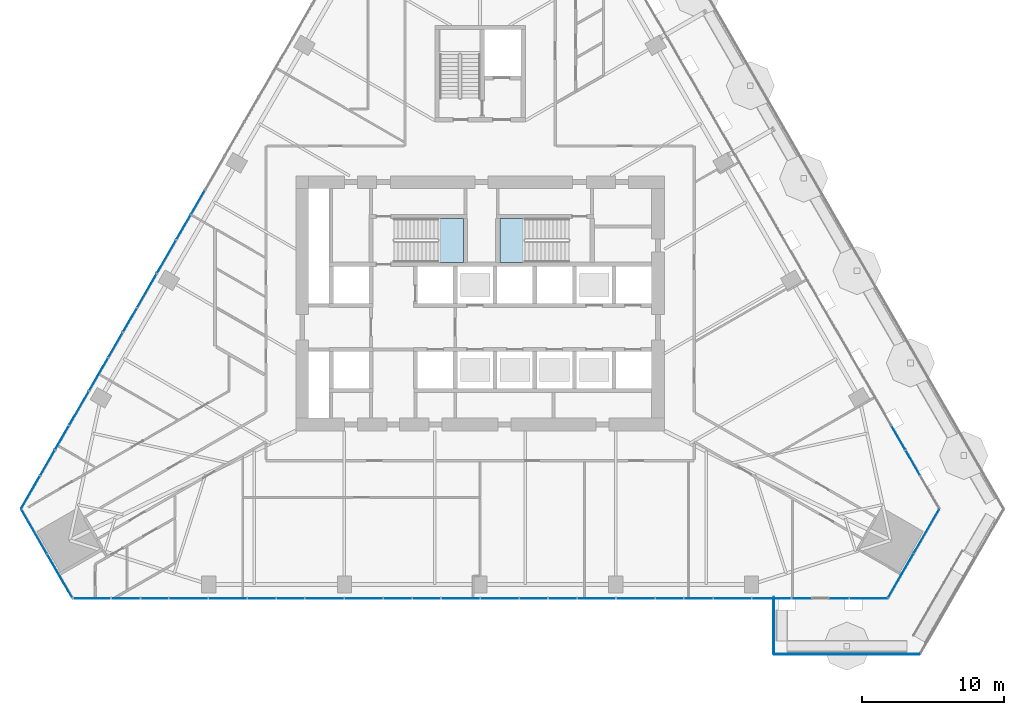
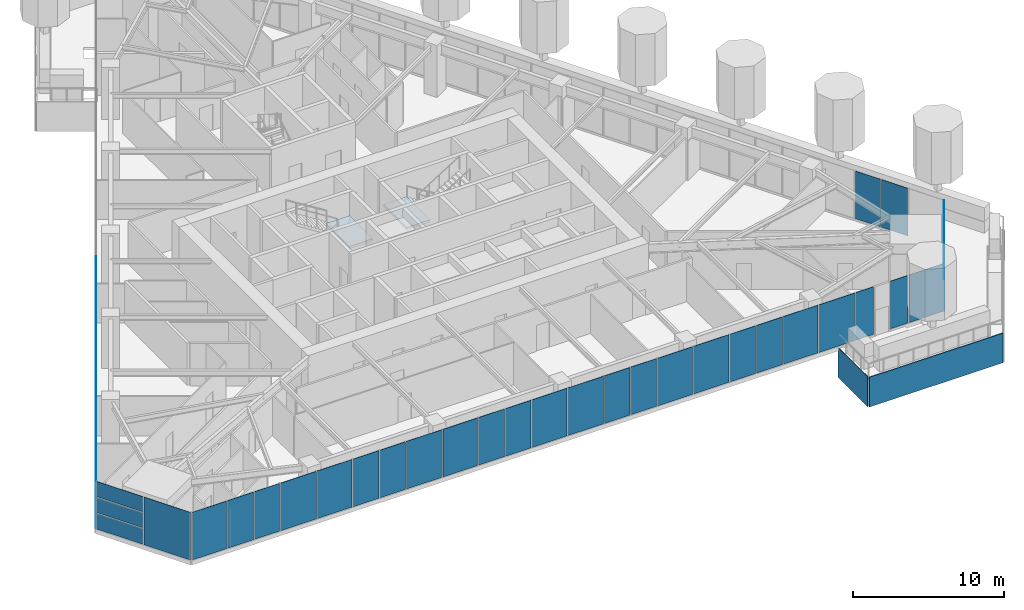
# One storey, part 14 of 26: 47 plates, 2 slabs, 7 elements without a shape of their own.
"""IFC4 building model written with IfcOpenShell, lengths in metres."""

from ifc_helpers import new_model, si_unit, direction, frame, origin, place, context, subcontext, project, spatial, polyline, outline, extrude, material, layer, layer_set, type_object, element, aggregate, save


model = new_model("IFC4")

# Units and contexts
model_context = context("Model", 3, precision=1e-05, world=origin(), true_north=direction((0.0, 1.0)))
body_context = subcontext(model_context, "Body", "Model", "MODEL_VIEW")
ifc_project = project(units=[si_unit("LENGTHUNIT", "METRE"), si_unit("AREAUNIT", "SQUARE_METRE"), si_unit("VOLUMEUNIT", "CUBIC_METRE"), si_unit("PLANEANGLEUNIT", "RADIAN"), si_unit("MASSUNIT", "GRAM", prefix="KILO")], contexts=[model_context])

# Site, building, storey
site_placement = place(None, origin())
site = spatial("IfcSite", under=ifc_project, at=site_placement, CompositionType="ELEMENT")
building_placement = place(site_placement, origin())
building = spatial("IfcBuilding", under=site, at=building_placement, Name="Firuza Gate Tower and Library", CompositionType="ELEMENT")
storey_placement = place(building_placement, frame((0.0, 0.0, 52.60009765625)))
storey = spatial("IfcBuildingStorey", under=building, at=storey_placement, Name="L11", CompositionType="ELEMENT", Elevation=52.60009765625)

# Curtain wall, plates
ifc_material_1 = material(Name="Aluminium 6063-T6", Category="aluminium")
ifc_layer_1 = layer(ifc_material_1, 0.14990234375)
ifc_layer_set_1 = layer_set([ifc_layer_1], Name="Corner curtain wall, chamfers")
curtain_wall_type_1 = type_object("IfcCurtainWallType", Name="Corner curtain wall, chamfers", PredefinedType="NOTDEFINED", material=ifc_layer_set_1)
placement_1 = place(storey_placement, origin())
curtain_wall_1 = element("IfcCurtainWall", 1, at=placement_1, inside=storey, type_object=curtain_wall_type_1, Name="CW4 L11 SE corner", PredefinedType="NOTDEFINED")
ifc_material_2 = material(Name="Fritted glass", Category="glass")
ifc_layer_2 = layer(ifc_material_2, 0.030029296875)
ifc_layer_set_2 = layer_set([ifc_layer_2], Name="Fritted glass unit, corners")
plate_type_1 = type_object("IfcPlateType", Name="Fritted glass unit, corners", PredefinedType="CURTAIN_PANEL", material=ifc_layer_set_2)
plate_1_placement = place(storey_placement, frame((103.778076171875, 54.224365234375, 0.14990234375), z_axis=(0.866046390552, -0.49996364809, 0.0), x_axis=(0.49996364809, 0.866046390552, 0.0)))
plate_1 = element("IfcPlate", 2, at=plate_1_placement, type_object=plate_type_1, Name="Glass unit", PredefinedType="CURTAIN_PANEL", context=body_context, shape_type="SweptSolid", body=[
    extrude(outline(polyline([(0.0, 0.0), (3.563247342942594, 0.0), (3.563247342942594, 1.885009765625), (0.0, 1.885009765625), (0.0, 0.0)])), origin(), (0.0, 0.0, -1.0), 0.030029296875),
])
plate_2_placement = place(storey_placement, frame((105.599609375, 57.37939453125, 0.14990234375), z_axis=(0.866016723041, -0.500015035186, 0.0), x_axis=(0.500015035186, 0.866016723041, 0.0)))
plate_2 = element("IfcPlate", 3, at=plate_2_placement, type_object=plate_type_1, Name="Glass unit", PredefinedType="CURTAIN_PANEL", context=body_context, shape_type="SweptSolid", body=[
    extrude(outline(polyline([(0.0, 0.0), (3.5633694106530625, 0.0), (3.5633694106530625, 1.885009765625), (0.0, 1.885009765625), (0.0, 0.0)])), origin(), (0.0, 0.0, -1.0), 0.030029296875),
])

curtain_wall_2 = element("IfcCurtainWall", 4, at=placement_1, inside=storey, type_object=curtain_wall_type_1, Name="CW4 L11 SW corner", PredefinedType="NOTDEFINED")
plate_3_placement = place(storey_placement, frame((42.61865234375, 60.46533203125, 0.14990234375), z_axis=(-0.866016723041, -0.500015035186, 0.0), x_axis=(0.500015035186, -0.866016723041, 0.0)))
plate_3 = element("IfcPlate", 5, at=plate_3_placement, type_object=plate_type_1, Name="Glass unit", PredefinedType="CURTAIN_PANEL", context=body_context, shape_type="SweptSolid", body=[
    extrude(outline(polyline([(0.0, 0.0), (3.5633694106530625, 0.0), (3.5633694106530625, 1.260009765625), (0.0, 1.260009765625), (0.0, 0.0)])), origin(), (0.0, 0.0, -1.0), 0.030029296875),
])
plate_4_placement = place(storey_placement, frame((42.61865234375, 60.46533203125, 1.489990234375), z_axis=(-0.866016723041, -0.500015035186, 0.0), x_axis=(0.500015035186, -0.866016723041, 0.0)))
plate_4 = element("IfcPlate", 6, at=plate_4_placement, type_object=plate_type_1, Name="Glass unit", PredefinedType="CURTAIN_PANEL", context=body_context, shape_type="SweptSolid", body=[
    extrude(outline(polyline([(0.0, 0.0), (3.5633694106530625, 0.0), (3.5633694106530625, 1.1948242187499998), (0.0, 1.1948242187499998), (0.0, 0.0)])), origin(), (0.0, 0.0, -1.0), 0.030029296875),
])

ifc_material_3 = material(Name="Aluminium 6063-T6", Category="aluminium")
ifc_layer_3 = layer(ifc_material_3, 0.14990234375)
ifc_layer_set_3 = layer_set([ifc_layer_3], Name="Unitised curtain wall, offices")
curtain_wall_type_2 = type_object("IfcCurtainWallType", Name="Unitised curtain wall, offices", PredefinedType="NOTDEFINED", material=ifc_layer_set_3)
curtain_wall_3 = element("IfcCurtainWall", 7, at=placement_1, inside=storey, type_object=curtain_wall_type_2, Name="CW1 L11 S face", PredefinedType="NOTDEFINED")
ifc_material_4 = material(Name="Fritted glass", Category="glass")
ifc_layer_4 = layer(ifc_material_4, 0.030029296875)
ifc_layer_set_4 = layer_set([ifc_layer_4], Name="Fritted glass unit, offices")
plate_type_2 = type_object("IfcPlateType", Name="Fritted glass unit, offices", PredefinedType="CURTAIN_PANEL", material=ifc_layer_set_4)
plate_5_placement = place(storey_placement, frame((49.00244140625, 54.18212890625, 0.14990234375), z_axis=(0.0, -1.0, 0.0), x_axis=(1.0, 0.0, 0.0)))
plate_5 = element("IfcPlate", 8, at=plate_5_placement, type_object=plate_type_2, Name="Glass unit", PredefinedType="CURTAIN_PANEL", context=body_context, shape_type="SweptSolid", body=[
    extrude(outline(polyline([(0.0, 0.0), (2.00341796875, 0.0), (2.00341796875, 3.85009765625), (0.0, 3.85009765625), (0.0, 0.0)])), origin(), (0.0, 0.0, -1.0), 0.030029296875),
])
plate_6_placement = place(storey_placement, frame((51.0859375, 54.18212890625, 0.14990234375), z_axis=(0.0, -1.0, 0.0), x_axis=(1.0, 0.0, 0.0)))
plate_6 = element("IfcPlate", 9, at=plate_6_placement, type_object=plate_type_2, Name="Glass unit", PredefinedType="CURTAIN_PANEL", context=body_context, shape_type="SweptSolid", body=[
    extrude(outline(polyline([(0.0, 0.0), (1.91162109375, 0.0), (1.91162109375, 3.85009765625), (0.0, 3.85009765625), (0.0, 0.0)])), origin(), (0.0, 0.0, -1.0), 0.030029296875),
])
plate_7_placement = place(storey_placement, frame((58.602294921875, 54.18212890625, 0.14990234375), z_axis=(0.0, -1.0, 0.0), x_axis=(1.0, 0.0, 0.0)))
plate_7 = element("IfcPlate", 10, at=plate_7_placement, type_object=plate_type_2, Name="Glass unit", PredefinedType="CURTAIN_PANEL", context=body_context, shape_type="SweptSolid", body=[
    extrude(outline(polyline([(0.0, 0.0), (1.985107421875, 0.0), (1.985107421875, 3.85009765625), (0.0, 3.85009765625), (0.0, 0.0)])), origin(), (0.0, 0.0, -1.0), 0.030029296875),
])
plate_8_placement = place(storey_placement, frame((60.66748046875, 54.18212890625, 0.14990234375), z_axis=(0.0, -1.0, 0.0), x_axis=(1.0, 0.0, 0.0)))
plate_8 = element("IfcPlate", 11, at=plate_8_placement, type_object=plate_type_2, Name="Glass unit", PredefinedType="CURTAIN_PANEL", context=body_context, shape_type="SweptSolid", body=[
    extrude(outline(polyline([(0.0, 0.0), (1.93017578125, 0.0), (1.93017578125, 3.85009765625), (0.0, 3.85009765625), (0.0, 0.0)])), origin(), (0.0, 0.0, -1.0), 0.030029296875),
])
plate_9_placement = place(storey_placement, frame((68.202392578125, 54.18212890625, 0.14990234375), z_axis=(0.0, -1.0, 0.0), x_axis=(1.0, 0.0, 0.0)))
plate_9 = element("IfcPlate", 12, at=plate_9_placement, type_object=plate_type_2, Name="Glass unit", PredefinedType="CURTAIN_PANEL", context=body_context, shape_type="SweptSolid", body=[
    extrude(outline(polyline([(0.0, 0.0), (1.966796875, 0.0), (1.966796875, 3.85009765625), (0.0, 3.85009765625), (0.0, 0.0)])), origin(), (0.0, 0.0, -1.0), 0.030029296875),
])
plate_10_placement = place(storey_placement, frame((70.249267578125, 54.18212890625, 0.14990234375), z_axis=(0.0, -1.0, 0.0), x_axis=(1.0, 0.0, 0.0)))
plate_10 = element("IfcPlate", 13, at=plate_10_placement, type_object=plate_type_2, Name="Glass unit", PredefinedType="CURTAIN_PANEL", context=body_context, shape_type="SweptSolid", body=[
    extrude(outline(polyline([(0.0, 0.0), (1.9482421875, 0.0), (1.9482421875, 3.85009765625), (0.0, 3.85009765625), (0.0, 0.0)])), origin(), (0.0, 0.0, -1.0), 0.030029296875),
])
plate_11_placement = place(storey_placement, frame((77.802490234375, 54.18212890625, 0.14990234375), z_axis=(0.0, -1.0, 0.0), x_axis=(1.0, 0.0, 0.0)))
plate_11 = element("IfcPlate", 14, at=plate_11_placement, type_object=plate_type_2, Name="Glass unit", PredefinedType="CURTAIN_PANEL", context=body_context, shape_type="SweptSolid", body=[
    extrude(outline(polyline([(0.0, 0.0), (1.9482421875, 0.0), (1.9482421875, 3.85009765625), (0.0, 3.85009765625), (0.0, 0.0)])), origin(), (0.0, 0.0, -1.0), 0.030029296875),
])
plate_12_placement = place(storey_placement, frame((79.830810546875, 54.18212890625, 0.14990234375), z_axis=(0.0, -1.0, 0.0), x_axis=(1.0, 0.0, 0.0)))
plate_12 = element("IfcPlate", 15, at=plate_12_placement, type_object=plate_type_2, Name="Glass unit", PredefinedType="CURTAIN_PANEL", context=body_context, shape_type="SweptSolid", body=[
    extrude(outline(polyline([(0.0, 0.0), (1.966796875, 0.0), (1.966796875, 3.85009765625), (0.0, 3.85009765625), (0.0, 0.0)])), origin(), (0.0, 0.0, -1.0), 0.030029296875),
])
plate_13_placement = place(storey_placement, frame((87.40234375, 54.18212890625, 0.14990234375), z_axis=(0.0, -1.0, 0.0), x_axis=(1.0, 0.0, 0.0)))
plate_13 = element("IfcPlate", 16, at=plate_13_placement, type_object=plate_type_2, Name="Glass unit", PredefinedType="CURTAIN_PANEL", context=body_context, shape_type="SweptSolid", body=[
    extrude(outline(polyline([(0.0, 0.0), (1.93017578125, 0.0), (1.93017578125, 3.85009765625), (0.0, 3.85009765625), (0.0, 0.0)])), origin(), (0.0, 0.0, -1.0), 0.030029296875),
])
plate_14_placement = place(storey_placement, frame((89.41259765625, 54.18212890625, 0.14990234375), z_axis=(0.0, -1.0, 0.0), x_axis=(1.0, 0.0, 0.0)))
plate_14 = element("IfcPlate", 17, at=plate_14_placement, type_object=plate_type_2, Name="Glass unit", PredefinedType="CURTAIN_PANEL", context=body_context, shape_type="SweptSolid", body=[
    extrude(outline(polyline([(0.0, 0.0), (1.985107421875, 0.0), (1.985107421875, 3.85009765625), (0.0, 3.85009765625), (0.0, 0.0)])), origin(), (0.0, 0.0, -1.0), 0.030029296875),
])
plate_15_placement = place(storey_placement, frame((97.00244140625, 54.18212890625, 0.14990234375), z_axis=(0.0, -1.0, 0.0), x_axis=(1.0, 0.0, 0.0)))
plate_15 = element("IfcPlate", 18, at=plate_15_placement, type_object=plate_type_2, Name="Glass unit", PredefinedType="CURTAIN_PANEL", context=body_context, shape_type="SweptSolid", body=[
    extrude(outline(polyline([(0.0, 0.0), (1.3408203125, 0.0), (1.3408203125, 3.85009765625), (0.0, 3.85009765625), (0.0, 0.0)])), origin(), (0.0, 0.0, -1.0), 0.030029296875),
])
plate_16_placement = place(storey_placement, frame((99.623291015625, 54.18212890625, 0.14990234375), z_axis=(0.0, -1.0, 0.0), x_axis=(1.0, 0.0, 0.0)))
plate_16 = element("IfcPlate", 19, at=plate_16_placement, type_object=plate_type_2, Name="Glass unit", PredefinedType="CURTAIN_PANEL", context=body_context, shape_type="SweptSolid", body=[
    extrude(outline(polyline([(0.0, 0.0), (1.374267578125, 0.0), (1.374267578125, 3.85009765625), (0.0, 3.85009765625), (0.0, 0.0)])), origin(), (0.0, 0.0, -1.0), 0.030029296875),
])

curtain_wall_4 = element("IfcCurtainWall", 20, at=placement_1, inside=storey, type_object=curtain_wall_type_2, Name="CW1 L11 E face", PredefinedType="NOTDEFINED")
plate_17_placement = place(storey_placement, frame((106.027587890625, 62.894287109375, 0.14990234375), z_axis=(0.866037453254, 0.499979129126, 0.0), x_axis=(-0.499979129126, 0.866037453254, 0.0)))
plate_17 = element("IfcPlate", 21, at=plate_17_placement, type_object=plate_type_2, Name="Glass unit", PredefinedType="CURTAIN_PANEL", context=body_context, shape_type="SweptSolid", body=[
    extrude(outline(polyline([(0.0, 0.0), (2.0035015984079734, 0.0), (2.0035015984079734, 3.85009765625), (0.0, 3.85009765625), (0.0, 0.0)])), origin(), (0.0, 0.0, -1.0), 0.030029296875),
])
plate_18_placement = place(storey_placement, frame((104.98583984375, 64.69873046875, 0.14990234375), z_axis=(0.866026077102, 0.499998833779, 0.0), x_axis=(-0.499998833779, 0.866026077102, 0.0)))
plate_18 = element("IfcPlate", 22, at=plate_18_placement, type_object=plate_type_2, Name="Glass unit", PredefinedType="CURTAIN_PANEL", context=body_context, shape_type="SweptSolid", body=[
    extrude(outline(polyline([(0.0, 0.0), (1.9116255525071724, 0.0), (1.9116255525071724, 3.85009765625), (0.0, 3.85009765625), (0.0, 0.0)])), origin(), (0.0, 0.0, -1.0), 0.030029296875),
])
aggregate(curtain_wall_4, [plate_17, plate_18])

curtain_wall_5 = element("IfcCurtainWall", 23, at=placement_1, inside=storey, type_object=curtain_wall_type_2, Name="CW1 L11 W face", PredefinedType="NOTDEFINED")
plate_19_placement = place(storey_placement, frame((55.570068359375, 82.98193359375, 0.14990234375), z_axis=(-0.865974815039, 0.500087612042, 0.0), x_axis=(-0.500087612042, -0.865974815039, 0.0)))
plate_19 = element("IfcPlate", 24, at=plate_19_placement, type_object=plate_type_2, Name="Glass unit", PredefinedType="CURTAIN_PANEL", context=body_context, shape_type="SweptSolid", body=[
    extrude(outline(polyline([(0.0, 0.0), (1.948389064061364, 0.0), (1.948389064061364, 3.85009765625), (0.0, 3.85009765625), (0.0, 0.0)])), origin(), (0.0, 0.0, -1.0), 0.030029296875),
])
plate_20_placement = place(storey_placement, frame((54.555908203125, 81.225341796875, 0.14990234375), z_axis=(-0.866034692906, 0.499983910424, 0.0), x_axis=(-0.499983910424, -0.866034692906, 0.0)))
plate_20 = element("IfcPlate", 25, at=plate_20_placement, type_object=plate_type_2, Name="Glass unit", PredefinedType="CURTAIN_PANEL", context=body_context, shape_type="SweptSolid", body=[
    extrude(outline(polyline([(0.0, 0.0), (1.9668601668931607, 0.0), (1.9668601668931607, 3.85009765625), (0.0, 3.85009765625), (0.0, 0.0)])), origin(), (0.0, 0.0, -1.0), 0.030029296875),
])
plate_21_placement = place(storey_placement, frame((50.77001953125, 74.668212890625, 0.14990234375), z_axis=(-0.866031827731, 0.499988873232, 0.0), x_axis=(-0.499988873232, -0.866031827731, 0.0)))
plate_21 = element("IfcPlate", 26, at=plate_21_placement, type_object=plate_type_2, Name="Glass unit", PredefinedType="CURTAIN_PANEL", context=body_context, shape_type="SweptSolid", body=[
    extrude(outline(polyline([(0.0, 0.0), (1.9302187354405753, 0.0), (1.9302187354405753, 3.850097656250001), (0.0, 3.850097656250001), (0.0, 0.0)])), origin(), (0.0, 0.0, -1.0), 0.030029296875),
])
plate_22_placement = place(storey_placement, frame((49.764892578125, 72.92724609375, 0.14990234375), z_axis=(-0.866031967744, 0.499988630717, 0.0), x_axis=(-0.499988630717, -0.866031967744, 0.0)))
plate_22 = element("IfcPlate", 27, at=plate_22_placement, type_object=plate_type_2, Name="Glass unit", PredefinedType="CURTAIN_PANEL", context=body_context, shape_type="SweptSolid", body=[
    extrude(outline(polyline([(0.0, 0.0), (1.9849084152213954, 0.0), (1.9849084152213954, 3.850097656250001), (0.0, 3.850097656250001), (0.0, 0.0)])), origin(), (0.0, 0.0, -1.0), 0.030029296875),
])
plate_23_placement = place(storey_placement, frame((45.969970703125, 66.354248046875, 0.14990234375), z_axis=(-0.866026077102, 0.499998833779, 0.0), x_axis=(-0.499998833779, -0.866026077102, 0.0)))
plate_23 = element("IfcPlate", 28, at=plate_23_placement, type_object=plate_type_2, Name="Glass unit", PredefinedType="CURTAIN_PANEL", context=body_context, shape_type="SweptSolid", body=[
    extrude(outline(polyline([(0.0, 0.0), (1.9116255525071724, 0.0), (1.9116255525071724, 3.85009765625), (0.0, 3.85009765625), (0.0, 0.0)])), origin(), (0.0, 0.0, -1.0), 0.030029296875),
])
plate_24_placement = place(storey_placement, frame((44.97412109375, 64.62939453125, 0.14990234375), z_axis=(-0.866037453254, 0.499979129126, 0.0), x_axis=(-0.499979129126, -0.866037453254, 0.0)))
plate_24 = element("IfcPlate", 29, at=plate_24_placement, type_object=plate_type_2, Name="Glass unit", PredefinedType="CURTAIN_PANEL", context=body_context, shape_type="SweptSolid", body=[
    extrude(outline(polyline([(0.0, 0.0), (2.0035015984079734, 0.0), (2.0035015984079734, 3.85009765625), (0.0, 3.85009765625), (0.0, 0.0)])), origin(), (0.0, 0.0, -1.0), 0.030029296875),
])

# Plate
ifc_material_5 = material(Name="Glazed ceramic tile")
ifc_layer_5 = layer(ifc_material_5, 0.030029296875)
ifc_layer_set_5 = layer_set([ifc_layer_5], Name="Opaque ceramic panel, corners")
plate_type_3 = type_object("IfcPlateType", Name="Opaque ceramic panel, corners", PredefinedType="CURTAIN_PANEL", material=ifc_layer_set_5)
plate_25_placement = place(storey_placement, frame((103.778076171875, 54.224365234375, 2.114990234375), z_axis=(0.866046390552, -0.49996364809, 0.0), x_axis=(0.49996364809, 0.866046390552, 0.0)))
plate_25 = element("IfcPlate", 30, at=plate_25_placement, type_object=plate_type_3, Name="Opaque ceramic panel", PredefinedType="CURTAIN_PANEL", context=body_context, shape_type="SweptSolid", body=[
    extrude(outline(polyline([(0.0, 0.0), (3.563247342942594, 0.0), (3.563247342942594, 1.885009765625), (0.0, 1.885009765625), (0.0, 0.0)])), origin(), (0.0, 0.0, -1.0), 0.030029296875),
])

plate_26_placement = place(storey_placement, frame((105.599609375, 57.37939453125, 2.114990234375), z_axis=(0.866016723041, -0.500015035186, 0.0), x_axis=(0.500015035186, 0.866016723041, 0.0)))
plate_26 = element("IfcPlate", 31, at=plate_26_placement, type_object=plate_type_3, Name="Opaque ceramic panel", PredefinedType="CURTAIN_PANEL", context=body_context, shape_type="SweptSolid", body=[
    extrude(outline(polyline([(0.0, 0.0), (3.5633694106530625, 0.0), (3.5633694106530625, 1.885009765625), (0.0, 1.885009765625), (0.0, 0.0)])), origin(), (0.0, 0.0, -1.0), 0.030029296875),
])

aggregate(curtain_wall_1, [plate_1, plate_25, plate_2, plate_26])

plate_27_placement = place(storey_placement, frame((42.61865234375, 60.46533203125, 2.764892578125), z_axis=(-0.866016723041, -0.500015035186, 0.0), x_axis=(0.500015035186, -0.866016723041, 0.0)))
plate_27 = element("IfcPlate", 32, at=plate_27_placement, type_object=plate_type_3, Name="Opaque ceramic panel", PredefinedType="CURTAIN_PANEL", context=body_context, shape_type="SweptSolid", body=[
    extrude(outline(polyline([(0.0, 0.0), (3.5633694106530625, 0.0), (3.5633694106530625, 1.235107421875), (0.0, 1.235107421875), (0.0, 0.0)])), origin(), (0.0, 0.0, -1.0), 0.030029296875),
])

plate_28_placement = place(storey_placement, frame((44.4404296875, 57.310302734375, 0.14990234375), z_axis=(-0.866046390552, -0.49996364809, 0.0), x_axis=(0.49996364809, -0.866046390552, 0.0)))
plate_28 = element("IfcPlate", 33, at=plate_28_placement, type_object=plate_type_3, Name="Opaque ceramic panel", PredefinedType="CURTAIN_PANEL", context=body_context, shape_type="SweptSolid", body=[
    extrude(outline(polyline([(0.0, 0.0), (3.563247342942594, 0.0), (3.563247342942594, 3.85009765625), (0.0, 3.85009765625), (0.0, 0.0)])), origin(), (0.0, 0.0, -1.0), 0.030029296875),
])

aggregate(curtain_wall_2, [plate_3, plate_4, plate_27, plate_28])

ifc_material_6 = material(Name="Glazed ceramic tile")
ifc_layer_6 = layer(ifc_material_6, 0.030029296875)
ifc_layer_set_6 = layer_set([ifc_layer_6], Name="Opaque ceramic panel, offices")
plate_type_4 = type_object("IfcPlateType", Name="Opaque ceramic panel, offices", PredefinedType="CURTAIN_PANEL", material=ifc_layer_set_6)
plate_29_placement = place(storey_placement, frame((46.294921875, 54.18212890625, 0.14990234375), z_axis=(0.0, -1.0, 0.0), x_axis=(1.0, 0.0, 0.0)))
plate_29 = element("IfcPlate", 34, at=plate_29_placement, type_object=plate_type_4, Name="Opaque ceramic panel", PredefinedType="CURTAIN_PANEL", context=body_context, shape_type="SweptSolid", body=[
    extrude(outline(polyline([(0.0, 0.0), (2.62744140625, 0.0), (2.62744140625, 3.85009765625), (0.0, 3.85009765625), (0.0, 0.0)])), origin(), (0.0, 0.0, -1.0), 0.030029296875),
])

plate_30_placement = place(storey_placement, frame((53.07763671875, 54.18212890625, 0.14990234375), z_axis=(0.0, -1.0, 0.0), x_axis=(1.0, 0.0, 0.0)))
plate_30 = element("IfcPlate", 35, at=plate_30_placement, type_object=plate_type_4, Name="Opaque ceramic panel", PredefinedType="CURTAIN_PANEL", context=body_context, shape_type="SweptSolid", body=[
    extrude(outline(polyline([(0.0, 0.0), (2.718994140625, 0.0), (2.718994140625, 3.85009765625), (0.0, 3.85009765625), (0.0, 0.0)])), origin(), (0.0, 0.0, -1.0), 0.030029296875),
])

plate_31_placement = place(storey_placement, frame((55.876708984375, 54.18212890625, 0.14990234375), z_axis=(0.0, -1.0, 0.0), x_axis=(1.0, 0.0, 0.0)))
plate_31 = element("IfcPlate", 36, at=plate_31_placement, type_object=plate_type_4, Name="Opaque ceramic panel", PredefinedType="CURTAIN_PANEL", context=body_context, shape_type="SweptSolid", body=[
    extrude(outline(polyline([(0.0, 0.0), (2.645751953125, 0.0), (2.645751953125, 3.85009765625), (0.0, 3.85009765625), (0.0, 0.0)])), origin(), (0.0, 0.0, -1.0), 0.030029296875),
])

plate_32_placement = place(storey_placement, frame((62.677490234375, 54.18212890625, 0.14990234375), z_axis=(0.0, -1.0, 0.0), x_axis=(1.0, 0.0, 0.0)))
plate_32 = element("IfcPlate", 37, at=plate_32_placement, type_object=plate_type_4, Name="Opaque ceramic panel", PredefinedType="CURTAIN_PANEL", context=body_context, shape_type="SweptSolid", body=[
    extrude(outline(polyline([(0.0, 0.0), (2.700927734375, 0.0), (2.700927734375, 3.85009765625), (0.0, 3.85009765625), (0.0, 0.0)])), origin(), (0.0, 0.0, -1.0), 0.030029296875),
])

plate_33_placement = place(storey_placement, frame((65.458251953125, 54.18212890625, 0.14990234375), z_axis=(0.0, -1.0, 0.0), x_axis=(1.0, 0.0, 0.0)))
plate_33 = element("IfcPlate", 38, at=plate_33_placement, type_object=plate_type_4, Name="Opaque ceramic panel", PredefinedType="CURTAIN_PANEL", context=body_context, shape_type="SweptSolid", body=[
    extrude(outline(polyline([(0.0, 0.0), (2.6640625, 0.0), (2.6640625, 3.85009765625), (0.0, 3.85009765625), (0.0, 0.0)])), origin(), (0.0, 0.0, -1.0), 0.030029296875),
])

plate_34_placement = place(storey_placement, frame((72.277587890625, 54.18212890625, 0.14990234375), z_axis=(0.0, -1.0, 0.0), x_axis=(1.0, 0.0, 0.0)))
plate_34 = element("IfcPlate", 39, at=plate_34_placement, type_object=plate_type_4, Name="Opaque ceramic panel", PredefinedType="CURTAIN_PANEL", context=body_context, shape_type="SweptSolid", body=[
    extrude(outline(polyline([(0.0, 0.0), (2.682373046875, 0.0), (2.682373046875, 3.85009765625), (0.0, 3.85009765625), (0.0, 0.0)])), origin(), (0.0, 0.0, -1.0), 0.030029296875),
])

plate_35_placement = place(storey_placement, frame((75.0400390625, 54.18212890625, 0.14990234375), z_axis=(0.0, -1.0, 0.0), x_axis=(1.0, 0.0, 0.0)))
plate_35 = element("IfcPlate", 40, at=plate_35_placement, type_object=plate_type_4, Name="Opaque ceramic panel", PredefinedType="CURTAIN_PANEL", context=body_context, shape_type="SweptSolid", body=[
    extrude(outline(polyline([(0.0, 0.0), (2.682373046875, 0.0), (2.682373046875, 3.85009765625), (0.0, 3.85009765625), (0.0, 0.0)])), origin(), (0.0, 0.0, -1.0), 0.030029296875),
])

plate_36_placement = place(storey_placement, frame((81.877685546875, 54.18212890625, 0.14990234375), z_axis=(0.0, -1.0, 0.0), x_axis=(1.0, 0.0, 0.0)))
plate_36 = element("IfcPlate", 41, at=plate_36_placement, type_object=plate_type_4, Name="Opaque ceramic panel", PredefinedType="CURTAIN_PANEL", context=body_context, shape_type="SweptSolid", body=[
    extrude(outline(polyline([(0.0, 0.0), (2.6640625, 0.0), (2.6640625, 3.85009765625), (0.0, 3.85009765625), (0.0, 0.0)])), origin(), (0.0, 0.0, -1.0), 0.030029296875),
])

plate_37_placement = place(storey_placement, frame((84.62158203125, 54.18212890625, 0.14990234375), z_axis=(0.0, -1.0, 0.0), x_axis=(1.0, 0.0, 0.0)))
plate_37 = element("IfcPlate", 42, at=plate_37_placement, type_object=plate_type_4, Name="Opaque ceramic panel", PredefinedType="CURTAIN_PANEL", context=body_context, shape_type="SweptSolid", body=[
    extrude(outline(polyline([(0.0, 0.0), (2.700927734375, 0.0), (2.700927734375, 3.85009765625), (0.0, 3.85009765625), (0.0, 0.0)])), origin(), (0.0, 0.0, -1.0), 0.030029296875),
])

plate_38_placement = place(storey_placement, frame((91.4775390625, 54.18212890625, 0.14990234375), z_axis=(0.0, -1.0, 0.0), x_axis=(1.0, 0.0, 0.0)))
plate_38 = element("IfcPlate", 43, at=plate_38_placement, type_object=plate_type_4, Name="Opaque ceramic panel", PredefinedType="CURTAIN_PANEL", context=body_context, shape_type="SweptSolid", body=[
    extrude(outline(polyline([(0.0, 0.0), (2.645751953125, 0.0), (2.645751953125, 3.85009765625), (0.0, 3.85009765625), (0.0, 0.0)])), origin(), (0.0, 0.0, -1.0), 0.030029296875),
])

plate_39_placement = place(storey_placement, frame((94.203369140625, 54.18212890625, 0.14990234375), z_axis=(0.0, -1.0, 0.0), x_axis=(1.0, 0.0, 0.0)))
plate_39 = element("IfcPlate", 44, at=plate_39_placement, type_object=plate_type_4, Name="Opaque ceramic panel", PredefinedType="CURTAIN_PANEL", context=body_context, shape_type="SweptSolid", body=[
    extrude(outline(polyline([(0.0, 0.0), (2.718994140625, 0.0), (2.718994140625, 3.85009765625), (0.0, 3.85009765625), (0.0, 0.0)])), origin(), (0.0, 0.0, -1.0), 0.030029296875),
])

plate_40_placement = place(storey_placement, frame((101.07763671875, 54.18212890625, 0.14990234375), z_axis=(0.0, -1.0, 0.0), x_axis=(1.0, 0.0, 0.0)))
plate_40 = element("IfcPlate", 45, at=plate_40_placement, type_object=plate_type_4, Name="Opaque ceramic panel", PredefinedType="CURTAIN_PANEL", context=body_context, shape_type="SweptSolid", body=[
    extrude(outline(polyline([(0.0, 0.0), (2.62744140625, 0.0), (2.62744140625, 3.85009765625), (0.0, 3.85009765625), (0.0, 0.0)])), origin(), (0.0, 0.0, -1.0), 0.030029296875),
])

aggregate(curtain_wall_3, [plate_29, plate_5, plate_6, plate_30, plate_31, plate_7, plate_8, plate_32, plate_33, plate_9, plate_10, plate_34, plate_35, plate_11, plate_12, plate_36, plate_37, plate_13, plate_14, plate_38, plate_39, plate_15, plate_16, plate_40])

plate_41_placement = place(storey_placement, frame((53.532470703125, 79.45263671875, 0.14990234375), z_axis=(-0.866023818221, 0.500002746266, 0.0), x_axis=(-0.500002746266, -0.866023818221, 0.0)))
plate_41 = element("IfcPlate", 46, at=plate_41_placement, type_object=plate_type_4, Name="Opaque ceramic panel", PredefinedType="CURTAIN_PANEL", context=body_context, shape_type="SweptSolid", body=[
    extrude(outline(polyline([(0.0, 0.0), (2.6640478676313015, 0.0), (2.6640478676313015, 3.85009765625), (0.0, 3.85009765625), (0.0, 0.0)])), origin(), (0.0, 0.0, -1.0), 0.030029296875),
])

plate_42_placement = place(storey_placement, frame((52.160400390625, 77.076416015625, 0.14990234375), z_axis=(-0.866048610698, 0.499959802293, 0.0), x_axis=(-0.499959802293, -0.866048610698, 0.0)))
plate_42 = element("IfcPlate", 47, at=plate_42_placement, type_object=plate_type_4, Name="Opaque ceramic panel", PredefinedType="CURTAIN_PANEL", context=body_context, shape_type="SweptSolid", body=[
    extrude(outline(polyline([(0.0, 0.0), (2.70090073378314, 0.0), (2.70090073378314, 3.85009765625), (0.0, 3.85009765625), (0.0, 0.0)])), origin(), (0.0, 0.0, -1.0), 0.030029296875),
])

plate_43_placement = place(storey_placement, frame((48.732421875, 71.138916015625, 0.14990234375), z_axis=(-0.866042676242, 0.499970082033, 0.0), x_axis=(-0.499970082033, -0.866042676242, 0.0)))
plate_43 = element("IfcPlate", 48, at=plate_43_placement, type_object=plate_type_4, Name="Opaque ceramic panel", PredefinedType="CURTAIN_PANEL", context=body_context, shape_type="SweptSolid", body=[
    extrude(outline(polyline([(0.0, 0.0), (2.6456661184041277, 0.0), (2.6456661184041277, 3.85009765625), (0.0, 3.85009765625), (0.0, 0.0)])), origin(), (0.0, 0.0, -1.0), 0.030029296875),
])

plate_44_placement = place(storey_placement, frame((47.36962890625, 68.7783203125, 0.14990234375), z_axis=(-0.866007648794, 0.500030751284, 0.0), x_axis=(-0.500030751284, -0.866007648794, 0.0)))
plate_44 = element("IfcPlate", 49, at=plate_44_placement, type_object=plate_type_4, Name="Opaque ceramic panel", PredefinedType="CURTAIN_PANEL", context=body_context, shape_type="SweptSolid", body=[
    extrude(outline(polyline([(0.0, 0.0), (2.7190710513970524, 0.0), (2.7190710513970524, 3.850097656250001), (0.0, 3.850097656250001), (0.0, 0.0)])), origin(), (0.0, 0.0, -1.0), 0.030029296875),
])

plate_45_placement = place(storey_placement, frame((43.932373046875, 62.824951171875, 0.14990234375), z_axis=(-0.866021561589, 0.500006654819, 0.0), x_axis=(-0.500006654819, -0.866021561589, 0.0)))
plate_45 = element("IfcPlate", 50, at=plate_45_placement, type_object=plate_type_4, Name="Opaque ceramic panel", PredefinedType="CURTAIN_PANEL", context=body_context, shape_type="SweptSolid", body=[
    extrude(outline(polyline([(0.0, 0.0), (2.6274064364230245, 0.0), (2.6274064364230245, 3.85009765625), (0.0, 3.85009765625), (0.0, 0.0)])), origin(), (0.0, 0.0, -1.0), 0.030029296875),
])

aggregate(curtain_wall_5, [plate_19, plate_20, plate_41, plate_42, plate_21, plate_22, plate_43, plate_44, plate_23, plate_24, plate_45])

# Stair, slab
ifc_material_7 = material(Name="Concrete C35/45", Category="concrete")
stair_type = type_object("IfcStairType", Name="Exit stair ST5", PredefinedType="HALF_TURN_STAIR", material=ifc_material_7)
stair_1 = element("IfcStair", 51, at=placement_1, inside=storey, type_object=stair_type, Name="L11 Stair ST1", PredefinedType="HALF_TURN_STAIR")
ifc_material_8 = material(Name="Concrete C35/45", Category="concrete")
ifc_layer_7 = layer(ifc_material_8, 0.199951171875)
ifc_layer_set_7 = layer_set([ifc_layer_7], Name="Stair landing 200")
slab_type = type_object("IfcSlabType", Name="Stair landing 200", PredefinedType="LANDING", material=ifc_layer_set_7)
placement_2 = place(storey_placement, frame((0.0, 0.0, 1.89990234375)))
slab_1 = element("IfcSlab", 52, at=placement_2, type_object=slab_type, Name="ST1 landing 1", PredefinedType="LANDING", context=body_context, shape_type="SweptSolid", body=[
    extrude(outline(polyline([(72.02001953125, 77.89990234375), (73.81005859375, 77.89990234375), (73.81005859375, 80.97998046875), (72.02001953125, 80.97998046875), (72.02001953125, 77.89990234375)])), origin(), (0.0, 0.0, 1.0), 0.199951171875),
])
aggregate(stair_1, [slab_1])

stair_2 = element("IfcStair", 53, at=placement_1, inside=storey, type_object=stair_type, Name="L11 Stair ST2", PredefinedType="HALF_TURN_STAIR")
slab_2 = element("IfcSlab", 54, at=placement_2, type_object=slab_type, Name="ST2 landing 1", PredefinedType="LANDING", context=body_context, shape_type="SweptSolid", body=[
    extrude(outline(polyline([(78.179931640625, 80.97998046875), (76.389892578125, 80.97998046875), (76.389892578125, 77.89990234375), (78.179931640625, 77.89990234375), (78.179931640625, 80.97998046875)])), origin(), (0.0, 0.0, 1.0), 0.199951171875),
])
aggregate(stair_2, [slab_2])

# Plates
ifc_material_9 = material(Name="Aluminium 6063-T6", Category="aluminium")
ifc_layer_8 = layer(ifc_material_9, 0.050048828125)
ifc_layer_set_8 = layer_set([ifc_layer_8], Name="Tray fascia panel 50")
plate_type_5 = type_object("IfcPlateType", Name="Tray fascia panel 50", PredefinedType="SHEET", material=ifc_layer_set_8)
plate_46_placement = place(storey_placement, frame((95.758056640625, 50.221923828125, -2.400146484375), z_axis=(0.0, -1.0, 0.0), x_axis=(1.0, 0.0, 0.0)))
element("IfcPlate", 55, at=plate_46_placement, inside=storey, type_object=plate_type_5, Name="Tray fascia L11 1", PredefinedType="SHEET", context=body_context, shape_type="SweptSolid", body=[
    extrude(outline(polyline([(0.0, 0.0), (10.222900390625, 0.0), (10.222900390625, 2.400146484375), (0.0, 2.400146484375), (0.0, 0.0)])), origin(), (0.0, 0.0, -1.0), 0.050048828125),
])
plate_47_placement = place(storey_placement, frame((95.677978515625, 54.241943359375, -2.400146484375), z_axis=(-1.0, 0.0, 0.0), x_axis=(0.0, -1.0, 0.0)))
element("IfcPlate", 56, at=plate_47_placement, inside=storey, type_object=plate_type_5, Name="Tray fascia L11 12", PredefinedType="SHEET", context=body_context, shape_type="SweptSolid", body=[
    extrude(outline(polyline([(0.0, 0.0), (3.93994140625, 0.0), (3.93994140625, 2.400146484375), (0.0, 2.400146484375), (0.0, 0.0)])), origin(), (0.0, 0.0, -1.0), 0.050048828125),
])

save(model, "model.ifc")
